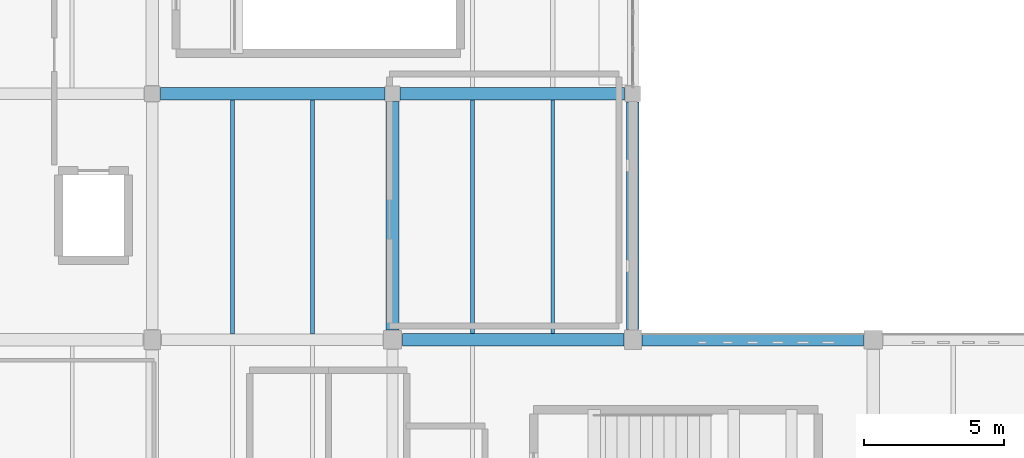
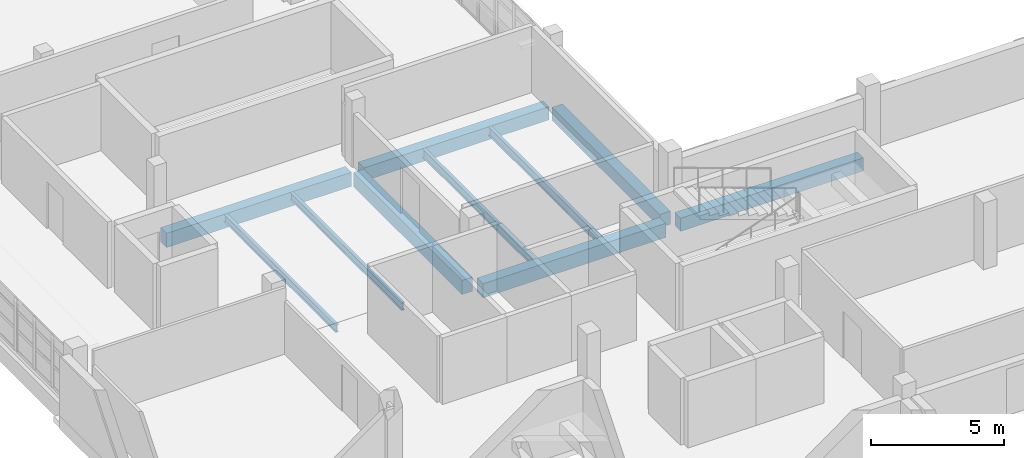
# One storey, part 10 of 34: 10 beams.
"""IFC4 building model written with IfcOpenShell, lengths in metres."""

import ifcopenshell
import ifcopenshell.guid

model = None  # the IFC model being written
_history = None  # IfcOwnerHistory: only IFC2X3 demands one
_inside = {}  # id of a spatial element -> (the spatial element, [elements in it])
_under = {}  # id of a project, library or spatial element -> (it, [spatial elements below it])
_declared = {}  # id of a project -> (the project, [libraries it declares])
_typed = {}  # id of a type object -> (the type object, [elements of that type])
_made_of = {}  # id of a material, layer set ... -> (it, [elements and type objects made of it])


def new_model(schema):
    """Start an empty IFC model of exactly this schema.

    Asked for "IFC4X3", IfcOpenShell would pick the latest addendum, in which some entities
    have other attributes; the version numbers below select the first issue.
    IFC2X3 requires an IfcOwnerHistory on every rooted entity: one is made here for all.
    """
    global model, _history
    if schema == "IFC4X3":
        model = ifcopenshell.file(schema_version=(4, 3, 0, 0))
    else:
        model = ifcopenshell.file(schema=schema)
    _inside.clear()
    _under.clear()
    _declared.clear()
    _typed.clear()
    _made_of.clear()
    _history = None
    if model.schema == "IFC2X3":
        org = make("IfcOrganization", Name="unknown")
        user = make(
            "IfcPersonAndOrganization",
            ThePerson=make("IfcPerson", FamilyName="unknown"),
            TheOrganization=org,
        )
        app = make(
            "IfcApplication",
            ApplicationDeveloper=org,
            Version="unknown",
            ApplicationFullName="unknown",
            ApplicationIdentifier="unknown",
        )
        _history = make(
            "IfcOwnerHistory",
            OwningUser=user,
            OwningApplication=app,
            ChangeAction="ADDED",
            CreationDate=0,
        )
    return model


def make(cls, **values):
    """One entity of the class cls with the attributes given. An attribute that is None is left unset."""
    return model.create_entity(
        cls, **{name: value for name, value in values.items() if value is not None}
    )


def rooted(cls, **values):
    """An entity with a GlobalId (a new one), such as an element, a storey or a relation."""
    return make(cls, GlobalId=ifcopenshell.guid.new(), OwnerHistory=_history, **values)


def si_unit(unit_type, name, prefix=None):
    """IfcSIUnit, for example si_unit("LENGTHUNIT", "METRE", prefix="MILLI")."""
    return make("IfcSIUnit", UnitType=unit_type, Prefix=prefix, Name=name)


def assignment(units):
    """IfcUnitAssignment: the units of a project."""
    return None if units is None else make("IfcUnitAssignment", Units=units)


def point(xyz):
    """IfcCartesianPoint."""
    return None if xyz is None else make("IfcCartesianPoint", Coordinates=xyz)


def direction(xyz):
    """IfcDirection."""
    return None if xyz is None else make("IfcDirection", DirectionRatios=xyz)


def frame(location, z_axis=None, x_axis=None):
    """IfcAxis2Placement3D, a coordinate frame: its origin and axes. An axis left out is left unset."""
    return make(
        "IfcAxis2Placement3D",
        Location=point(location),
        Axis=direction(z_axis),
        RefDirection=direction(x_axis),
    )


def frame_2d(location, x_axis=None):
    """IfcAxis2Placement2D, a coordinate frame in the plane: its origin and x axis."""
    return make(
        "IfcAxis2Placement2D", Location=point(location), RefDirection=direction(x_axis)
    )


def origin():
    """The frame at (0, 0, 0) with its axes left unset."""
    return frame((0.0, 0.0, 0.0))


def origin_2d():
    """The frame at (0, 0) in the plane with its x axis left unset."""
    return frame_2d((0.0, 0.0))


def place(relative_to, where):
    """IfcLocalPlacement: puts the frame where relative to a parent placement (None: the world)."""
    return make(
        "IfcLocalPlacement", PlacementRelTo=relative_to, RelativePlacement=where
    )


def context(
    kind, dimensions, precision=None, world=None, true_north=None, identifier=None
):
    """IfcGeometricRepresentationContext, for example the 3D "Model" context."""
    return make(
        "IfcGeometricRepresentationContext",
        ContextIdentifier=identifier,
        ContextType=kind,
        CoordinateSpaceDimension=dimensions,
        Precision=precision,
        WorldCoordinateSystem=world,
        TrueNorth=true_north,
    )


def subcontext(parent, identifier, kind, view, scale=None):
    """IfcGeometricRepresentationSubContext, for example "Body" below "Model"."""
    return make(
        "IfcGeometricRepresentationSubContext",
        ContextIdentifier=identifier,
        ContextType=kind,
        ParentContext=parent,
        TargetScale=scale,
        TargetView=view,
    )


def project(units=None, contexts=None):
    """IfcProject with its units and contexts."""
    return rooted(
        "IfcProject",
        Name="project",
        RepresentationContexts=contexts,
        UnitsInContext=assignment(units),
    )


def spatial(cls, under=None, at=None, **own):
    """A site, building, storey or space (cls), placed at a placement, below another one or the project."""
    s = rooted(cls, ObjectPlacement=at, **own)
    if under is not None:
        _under.setdefault(under.id(), (under, []))[1].append(s)
    return s


def profile(cls, at=None, kind="AREA", **sizes):
    """A parametric profile (cls). Its sizes go by their IFC names, for example OverallWidth=200.0."""
    return make(cls, ProfileType=kind, Position=at, **sizes)


def rectangle(**sizes):
    """IfcRectangleProfileDef."""
    return profile("IfcRectangleProfileDef", **sizes)


def i_section(**sizes):
    """IfcIShapeProfileDef."""
    return profile("IfcIShapeProfileDef", **sizes)


def extrude(swept, where, along, depth):
    """IfcExtrudedAreaSolid: the profile swept, set in the frame where, extruded along a direction by depth."""
    return make(
        "IfcExtrudedAreaSolid",
        SweptArea=swept,
        Position=where,
        ExtrudedDirection=direction(along),
        Depth=depth,
    )


def shape(context_of_items, identifier, shape_type, items):
    """IfcShapeRepresentation: the items that make up one representation, for example the "Body"."""
    return make(
        "IfcShapeRepresentation",
        ContextOfItems=context_of_items,
        RepresentationIdentifier=identifier,
        RepresentationType=shape_type,
        Items=items,
    )


def material(Name=None, Category=None):
    """IfcMaterial."""
    return make("IfcMaterial", Name=Name, Category=Category)


def material_profile(
    of_material, cross_section, Name=None, Category=None, Priority=None
):
    """IfcMaterialProfile: a cross section and its material."""
    return make(
        "IfcMaterialProfile",
        Name=Name,
        Material=of_material,
        Profile=cross_section,
        Priority=Priority,
        Category=Category,
    )


def profile_set(profiles, Name=None, composite=None):
    """IfcMaterialProfileSet."""
    return make(
        "IfcMaterialProfileSet",
        Name=Name,
        MaterialProfiles=profiles,
        CompositeProfile=composite,
    )


def made_of(thing, what):
    """Note that an element or type object is made of a material, layer set ...; save() writes the relation."""
    if what is not None:
        _made_of.setdefault(what.id(), (what, []))[1].append(thing)
    return thing


def type_object(cls, material=None, **own):
    """A type object (cls), such as IfcWallType, which elements share."""
    return made_of(rooted(cls, **own), material)


def element(
    cls,
    number,
    at=None,
    inside=None,
    cuts=None,
    type_object=None,
    material=None,
    context=None,
    identifier="Body",
    shape_type=None,
    held_by="IfcProductDefinitionShape",
    body=None,
    shapes=None,
    **own,
):
    """One element of the class cls, such as IfcWall. Its Tag is "e" and its number.

    at: its placement. inside: the storey or other place that contains it. cuts: it is an
    opening in that element (IfcRelVoidsElement). A single representation is given by context,
    identifier, shape_type and body (its items); several are given by shapes. held_by: the class
    of the entity that holds the representations. save() writes the other relations.
    """
    e = rooted(cls, Tag="e%d" % number, ObjectPlacement=at, **own)
    if body is not None:
        shapes = [shape(context, identifier, shape_type, body)]
    if shapes is not None:
        e.Representation = make(held_by, Representations=shapes)
    if inside is not None:
        _inside.setdefault(inside.id(), (inside, []))[1].append(e)
    if cuts is not None:
        rooted(
            "IfcRelVoidsElement", RelatingBuildingElement=cuts, RelatedOpeningElement=e
        )
    if type_object is not None:
        _typed.setdefault(type_object.id(), (type_object, []))[1].append(e)
    return made_of(e, material)


def aggregate(whole, parts):
    """IfcRelAggregates: a whole, such as a stair, and the parts it consists of."""
    return rooted("IfcRelAggregates", RelatingObject=whole, RelatedObjects=parts)


def save(model, path):
    """Write the relations noted so far, then the file.

    IfcRelAggregates (storeys below a building ...), IfcRelContainedInSpatialStructure (elements
    in a storey), IfcRelDefinesByType, IfcRelAssociatesMaterial and IfcRelDeclares: one each for
    every whole, place, type object, material and project.
    """
    for whole, parts in _under.values():
        aggregate(whole, parts)
    for where, things in _inside.values():
        rooted(
            "IfcRelContainedInSpatialStructure",
            RelatedElements=things,
            RelatingStructure=where,
        )
    for kind, things in _typed.values():
        rooted("IfcRelDefinesByType", RelatedObjects=things, RelatingType=kind)
    for what, things in _made_of.values():
        rooted("IfcRelAssociatesMaterial", RelatedObjects=things, RelatingMaterial=what)
    for by, libraries in _declared.values():
        rooted("IfcRelDeclares", RelatingContext=by, RelatedDefinitions=libraries)
    model.write(path)


model = new_model("IFC4")

# Units and contexts
model_context = context("Model", 3, precision=1e-05, world=origin(), true_north=direction((0.0, 1.0)))
body_context = subcontext(model_context, "Body", "Model", "MODEL_VIEW")
ifc_project = project(units=[si_unit("LENGTHUNIT", "METRE"), si_unit("AREAUNIT", "SQUARE_METRE"), si_unit("VOLUMEUNIT", "CUBIC_METRE"), si_unit("PLANEANGLEUNIT", "RADIAN"), si_unit("MASSUNIT", "GRAM", prefix="KILO")], contexts=[model_context])

# Site, building, storey
site_placement = place(None, origin())
site = spatial("IfcSite", under=ifc_project, at=site_placement, CompositionType="ELEMENT")
building_placement = place(site_placement, origin())
building = spatial("IfcBuilding", under=site, at=building_placement, Name="Varnakota Cinema and Media Centre", CompositionType="ELEMENT")
storey_placement = place(building_placement, frame((0.0, 0.0, 19.050048828125)))
storey = spatial("IfcBuildingStorey", under=building, at=storey_placement, Name="L05", CompositionType="ELEMENT", Elevation=19.050048828125)

# Beams
ifc_material_1 = material(Name="Concrete M35", Category="concrete")
ifc_material_profile_1 = material_profile(ifc_material_1, rectangle(XDim=0.449951171875, YDim=0.60009765625, at=origin_2d()), Name="RCB 450x600")
ifc_profile_set_1 = profile_set([ifc_material_profile_1], Name="Concrete M35")
beam_type_1 = type_object("IfcBeamType", Name="BM-RC-450x600", PredefinedType="BEAM", material=ifc_profile_set_1)
beam_1_placement = place(storey_placement, frame((26.125, 35.199951171875, -0.550048828125), z_axis=(1.0, 0.0, 0.0), x_axis=(0.0, 1.0, 0.0)))
element("IfcBeam", 1, at=beam_1_placement, inside=storey, type_object=beam_type_1, Name="L05 girder D-E/5", PredefinedType="BEAM", context=body_context, shape_type="SweptSolid", body=[
    extrude(rectangle(XDim=0.449951171875, YDim=0.60009765625, at=origin_2d()), origin(), (0.0, 0.0, 1.0), 7.925048828125),
])
beam_2_placement = place(storey_placement, frame((17.47509765625, 44.0, -0.550048828125), z_axis=(1.0, 0.0, 0.0), x_axis=(0.0, 1.0, 0.0)))
element("IfcBeam", 2, at=beam_2_placement, inside=storey, type_object=beam_type_1, Name="L05 girder C-D/6", PredefinedType="BEAM", context=body_context, shape_type="SweptSolid", body=[
    extrude(rectangle(XDim=0.449951171875, YDim=0.60009765625, at=origin_2d()), origin(), (0.0, 0.0, 1.0), 8.02490234375),
])
beam_3_placement = place(storey_placement, frame((25.800048828125, 35.574951171875, -0.550048828125), z_axis=(0.0, 1.0, 0.0), x_axis=(-1.0, 0.0, 0.0)))
element("IfcBeam", 3, at=beam_3_placement, inside=storey, type_object=beam_type_1, Name="L05 girder D/5-6", PredefinedType="BEAM", context=body_context, shape_type="SweptSolid", body=[
    extrude(rectangle(XDim=0.449951171875, YDim=0.60009765625, at=origin_2d()), origin(), (0.0, 0.0, 1.0), 8.125),
])
ifc_material_2 = material(Name="Concrete M35", Category="concrete")
ifc_material_profile_2 = material_profile(ifc_material_2, rectangle(XDim=0.449951171875, YDim=0.64990234375, at=origin_2d()), Name="RCB 450x650")
ifc_profile_set_2 = profile_set([ifc_material_profile_2], Name="Concrete M35")
beam_type_2 = type_object("IfcBeamType", Name="BM-RC-450x650", PredefinedType="BEAM", material=ifc_profile_set_2)
beam_4_placement = place(storey_placement, frame((17.550048828125, 35.199951171875, -0.574951171875), z_axis=(1.0, 0.0, 0.0), x_axis=(0.0, 1.0, 0.0)))
element("IfcBeam", 4, at=beam_4_placement, inside=storey, type_object=beam_type_2, Name="L05 girder C-D/5", PredefinedType="BEAM", context=body_context, shape_type="SweptSolid", body=[
    extrude(rectangle(XDim=0.449951171875, YDim=0.64990234375, at=origin_2d()), origin(), (0.0, 0.0, 1.0), 7.925048828125),
])
beam_5_placement = place(storey_placement, frame((8.89990234375, 44.0, -0.574951171875), z_axis=(1.0, 0.0, 0.0), x_axis=(0.0, 1.0, 0.0)))
element("IfcBeam", 5, at=beam_5_placement, inside=storey, type_object=beam_type_2, Name="L05 girder B-C/6", PredefinedType="BEAM", context=body_context, shape_type="SweptSolid", body=[
    extrude(rectangle(XDim=0.449951171875, YDim=0.64990234375, at=origin_2d()), origin(), (0.0, 0.0, 1.0), 8.025146484375),
])
beam_6_placement = place(storey_placement, frame((17.199951171875, 35.550048828125, -0.574951171875), z_axis=(0.0, 1.0, 0.0), x_axis=(-1.0, 0.0, 0.0)))
element("IfcBeam", 6, at=beam_6_placement, inside=storey, type_object=beam_type_2, Name="L05 girder C/5-6", PredefinedType="BEAM", context=body_context, shape_type="SweptSolid", body=[
    extrude(rectangle(XDim=0.449951171875, YDim=0.64990234375, at=origin_2d()), origin(), (0.0, 0.0, 1.0), 8.175048828125),
])
ifc_material_3 = material(Name="Structural steel Grade 350 (E350)", Category="steel")
ifc_material_profile_3 = material_profile(ifc_material_3, i_section(OverallWidth=0.139892578125, OverallDepth=0.35009765625, WebThickness=0.008056640625, FlangeThickness=0.01416015625, FilletRadius=0.013916015625, at=origin_2d()), Name="ISMB 350")
ifc_profile_set_3 = profile_set([ifc_material_profile_3], Name="Structural steel Grade 350 (E350)")
beam_type_3 = type_object("IfcBeamType", Name="BM-ST-ISMB350", PredefinedType="JOIST", material=ifc_profile_set_3)
for number, where, z_axis, x_axis, name in (
    (7, (11.466796875, 35.39990234375, -0.425048828125), (0.0, 1.0, 0.0), (-1.0, 0.0, 0.0), "L05 steel joist B-C/5-6 #1"),
    (8, (14.333251953125, 35.39990234375, -0.425048828125), (0.0, 1.0, 0.0), (-1.0, 0.0, 0.0), "L05 steel joist B-C/5-6 #2"),
):
    element("IfcBeam", number, at=place(storey_placement, frame(where, z_axis=z_axis, x_axis=x_axis)), inside=storey, type_object=beam_type_3, Name=name, PredefinedType="JOIST", context=body_context, shape_type="SweptSolid", body=[
        extrude(i_section(OverallWidth=0.139892578125, OverallDepth=0.35009765625, WebThickness=0.008056640625, FlangeThickness=0.01416015625, FilletRadius=0.013916015625, at=origin_2d()), origin(), (0.0, 0.0, 1.0), 8.375),
    ])
ifc_material_4 = material(Name="Structural steel Grade 350 (E350)", Category="steel")
ifc_material_profile_4 = material_profile(ifc_material_4, i_section(OverallWidth=0.139892578125, OverallDepth=0.39990234375, WebThickness=0.0087890625, FlangeThickness=0.01611328125, FilletRadius=0.013916015625, at=origin_2d()), Name="ISMB 400")
ifc_profile_set_4 = profile_set([ifc_material_profile_4], Name="Structural steel Grade 350 (E350)")
beam_type_4 = type_object("IfcBeamType", Name="BM-ST-ISMB400", PredefinedType="JOIST", material=ifc_profile_set_4)
for number, where, z_axis, x_axis, name in (
    (9, (20.066650390625, 35.425048828125, -0.449951171875), (0.0, 1.0, 0.0), (-1.0, 0.0, 0.0), "L05 steel joist C-D/5-6 #1"),
    (10, (22.933349609375, 35.425048828125, -0.449951171875), (0.0, 1.0, 0.0), (-1.0, 0.0, 0.0), "L05 steel joist C-D/5-6 #2"),
):
    element("IfcBeam", number, at=place(storey_placement, frame(where, z_axis=z_axis, x_axis=x_axis)), inside=storey, type_object=beam_type_4, Name=name, PredefinedType="JOIST", context=body_context, shape_type="SweptSolid", body=[
        extrude(i_section(OverallWidth=0.139892578125, OverallDepth=0.39990234375, WebThickness=0.0087890625, FlangeThickness=0.01611328125, FilletRadius=0.013916015625, at=origin_2d()), origin(), (0.0, 0.0, 1.0), 8.349853515625),
    ])

save(model, "model.ifc")
